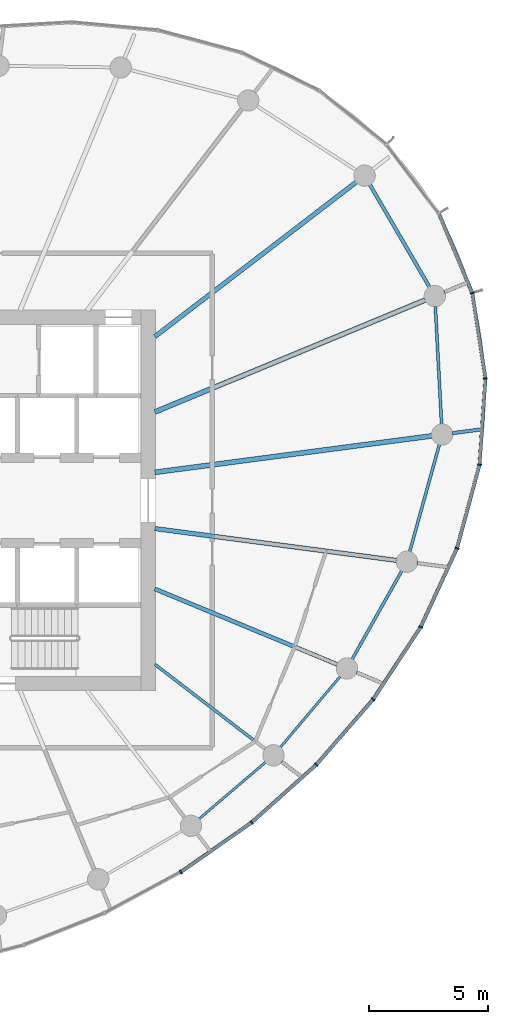
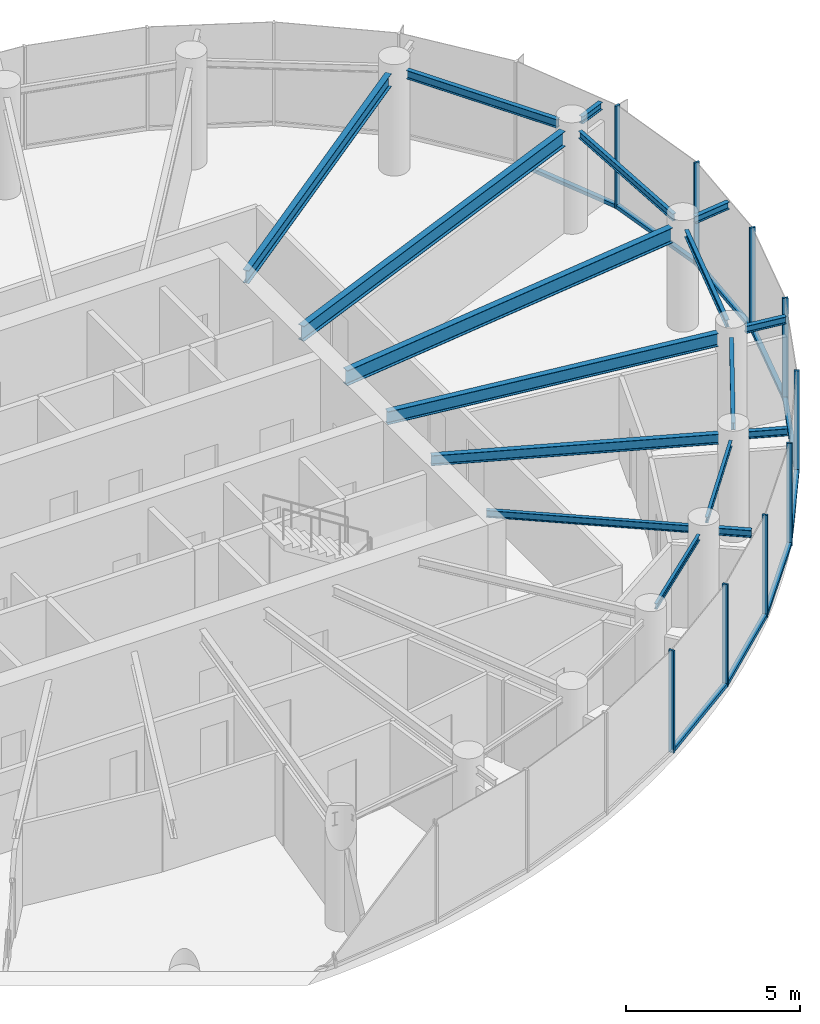
# One storey, part 5 of 14: 18 members, 17 beams, 2 elements without a shape of their own.
"""IFC4 building model written with IfcOpenShell, lengths in metres."""

import ifcopenshell
import ifcopenshell.guid

model = None  # the IFC model being written
_history = None  # IfcOwnerHistory: only IFC2X3 demands one
_inside = {}  # id of a spatial element -> (the spatial element, [elements in it])
_under = {}  # id of a project, library or spatial element -> (it, [spatial elements below it])
_declared = {}  # id of a project -> (the project, [libraries it declares])
_typed = {}  # id of a type object -> (the type object, [elements of that type])
_made_of = {}  # id of a material, layer set ... -> (it, [elements and type objects made of it])


def new_model(schema):
    """Start an empty IFC model of exactly this schema.

    Asked for "IFC4X3", IfcOpenShell would pick the latest addendum, in which some entities
    have other attributes; the version numbers below select the first issue.
    IFC2X3 requires an IfcOwnerHistory on every rooted entity: one is made here for all.
    """
    global model, _history
    if schema == "IFC4X3":
        model = ifcopenshell.file(schema_version=(4, 3, 0, 0))
    else:
        model = ifcopenshell.file(schema=schema)
    _inside.clear()
    _under.clear()
    _declared.clear()
    _typed.clear()
    _made_of.clear()
    _history = None
    if model.schema == "IFC2X3":
        org = make("IfcOrganization", Name="unknown")
        user = make(
            "IfcPersonAndOrganization",
            ThePerson=make("IfcPerson", FamilyName="unknown"),
            TheOrganization=org,
        )
        app = make(
            "IfcApplication",
            ApplicationDeveloper=org,
            Version="unknown",
            ApplicationFullName="unknown",
            ApplicationIdentifier="unknown",
        )
        _history = make(
            "IfcOwnerHistory",
            OwningUser=user,
            OwningApplication=app,
            ChangeAction="ADDED",
            CreationDate=0,
        )
    return model


def make(cls, **values):
    """One entity of the class cls with the attributes given. An attribute that is None is left unset."""
    return model.create_entity(
        cls, **{name: value for name, value in values.items() if value is not None}
    )


def rooted(cls, **values):
    """An entity with a GlobalId (a new one), such as an element, a storey or a relation."""
    return make(cls, GlobalId=ifcopenshell.guid.new(), OwnerHistory=_history, **values)


def si_unit(unit_type, name, prefix=None):
    """IfcSIUnit, for example si_unit("LENGTHUNIT", "METRE", prefix="MILLI")."""
    return make("IfcSIUnit", UnitType=unit_type, Prefix=prefix, Name=name)


def assignment(units):
    """IfcUnitAssignment: the units of a project."""
    return None if units is None else make("IfcUnitAssignment", Units=units)


def point(xyz):
    """IfcCartesianPoint."""
    return None if xyz is None else make("IfcCartesianPoint", Coordinates=xyz)


def direction(xyz):
    """IfcDirection."""
    return None if xyz is None else make("IfcDirection", DirectionRatios=xyz)


def frame(location, z_axis=None, x_axis=None):
    """IfcAxis2Placement3D, a coordinate frame: its origin and axes. An axis left out is left unset."""
    return make(
        "IfcAxis2Placement3D",
        Location=point(location),
        Axis=direction(z_axis),
        RefDirection=direction(x_axis),
    )


def frame_2d(location, x_axis=None):
    """IfcAxis2Placement2D, a coordinate frame in the plane: its origin and x axis."""
    return make(
        "IfcAxis2Placement2D", Location=point(location), RefDirection=direction(x_axis)
    )


def origin():
    """The frame at (0, 0, 0) with its axes left unset."""
    return frame((0.0, 0.0, 0.0))


def origin_2d():
    """The frame at (0, 0) in the plane with its x axis left unset."""
    return frame_2d((0.0, 0.0))


def place(relative_to, where):
    """IfcLocalPlacement: puts the frame where relative to a parent placement (None: the world)."""
    return make(
        "IfcLocalPlacement", PlacementRelTo=relative_to, RelativePlacement=where
    )


def context(
    kind, dimensions, precision=None, world=None, true_north=None, identifier=None
):
    """IfcGeometricRepresentationContext, for example the 3D "Model" context."""
    return make(
        "IfcGeometricRepresentationContext",
        ContextIdentifier=identifier,
        ContextType=kind,
        CoordinateSpaceDimension=dimensions,
        Precision=precision,
        WorldCoordinateSystem=world,
        TrueNorth=true_north,
    )


def subcontext(parent, identifier, kind, view, scale=None):
    """IfcGeometricRepresentationSubContext, for example "Body" below "Model"."""
    return make(
        "IfcGeometricRepresentationSubContext",
        ContextIdentifier=identifier,
        ContextType=kind,
        ParentContext=parent,
        TargetScale=scale,
        TargetView=view,
    )


def project(units=None, contexts=None):
    """IfcProject with its units and contexts."""
    return rooted(
        "IfcProject",
        Name="project",
        RepresentationContexts=contexts,
        UnitsInContext=assignment(units),
    )


def spatial(cls, under=None, at=None, **own):
    """A site, building, storey or space (cls), placed at a placement, below another one or the project."""
    s = rooted(cls, ObjectPlacement=at, **own)
    if under is not None:
        _under.setdefault(under.id(), (under, []))[1].append(s)
    return s


def profile(cls, at=None, kind="AREA", **sizes):
    """A parametric profile (cls). Its sizes go by their IFC names, for example OverallWidth=200.0."""
    return make(cls, ProfileType=kind, Position=at, **sizes)


def rectangle(**sizes):
    """IfcRectangleProfileDef."""
    return profile("IfcRectangleProfileDef", **sizes)


def i_section(**sizes):
    """IfcIShapeProfileDef."""
    return profile("IfcIShapeProfileDef", **sizes)


def extrude(swept, where, along, depth):
    """IfcExtrudedAreaSolid: the profile swept, set in the frame where, extruded along a direction by depth."""
    return make(
        "IfcExtrudedAreaSolid",
        SweptArea=swept,
        Position=where,
        ExtrudedDirection=direction(along),
        Depth=depth,
    )


def shape(context_of_items, identifier, shape_type, items):
    """IfcShapeRepresentation: the items that make up one representation, for example the "Body"."""
    return make(
        "IfcShapeRepresentation",
        ContextOfItems=context_of_items,
        RepresentationIdentifier=identifier,
        RepresentationType=shape_type,
        Items=items,
    )


def source(mapping_origin, context_of_items, identifier, shape_type, items):
    """IfcRepresentationMap: a shape defined once, which mapped items show again and again."""
    return make(
        "IfcRepresentationMap",
        MappingOrigin=mapping_origin,
        MappedRepresentation=shape(context_of_items, identifier, shape_type, items),
    )


def transform(
    local_origin,
    x_axis=None,
    y_axis=None,
    z_axis=None,
    scale=None,
    scale2=None,
    scale3=None,
    uniform=True,
):
    """IfcCartesianTransformationOperator3D, or its non-uniform kind. x_axis, y_axis, z_axis: its Axis1, 2, 3."""
    if uniform:
        return make(
            "IfcCartesianTransformationOperator3D",
            Axis1=direction(x_axis),
            Axis2=direction(y_axis),
            LocalOrigin=point(local_origin),
            Scale=scale,
            Axis3=direction(z_axis),
        )
    return make(
        "IfcCartesianTransformationOperator3DnonUniform",
        Axis1=direction(x_axis),
        Axis2=direction(y_axis),
        LocalOrigin=point(local_origin),
        Scale=scale,
        Axis3=direction(z_axis),
        Scale2=scale2,
        Scale3=scale3,
    )


def mapped(mapping_source, mapping_target):
    """IfcMappedItem: shows the shape of a source again, moved by a transform."""
    return make(
        "IfcMappedItem", MappingSource=mapping_source, MappingTarget=mapping_target
    )


def material(Name=None, Category=None):
    """IfcMaterial."""
    return make("IfcMaterial", Name=Name, Category=Category)


def layer(
    of_material, thickness, ventilated=None, Name=None, Category=None, Priority=None
):
    """IfcMaterialLayer: one layer of a wall or slab, of a material (None: an air gap)."""
    return make(
        "IfcMaterialLayer",
        Material=of_material,
        LayerThickness=thickness,
        IsVentilated=ventilated,
        Name=Name,
        Category=Category,
        Priority=Priority,
    )


def layer_set(layers, Name=None):
    """IfcMaterialLayerSet."""
    return make("IfcMaterialLayerSet", MaterialLayers=layers, LayerSetName=Name)


def material_profile(
    of_material, cross_section, Name=None, Category=None, Priority=None
):
    """IfcMaterialProfile: a cross section and its material."""
    return make(
        "IfcMaterialProfile",
        Name=Name,
        Material=of_material,
        Profile=cross_section,
        Priority=Priority,
        Category=Category,
    )


def profile_set(profiles, Name=None, composite=None):
    """IfcMaterialProfileSet."""
    return make(
        "IfcMaterialProfileSet",
        Name=Name,
        MaterialProfiles=profiles,
        CompositeProfile=composite,
    )


def made_of(thing, what):
    """Note that an element or type object is made of a material, layer set ...; save() writes the relation."""
    if what is not None:
        _made_of.setdefault(what.id(), (what, []))[1].append(thing)
    return thing


def type_object(cls, material=None, **own):
    """A type object (cls), such as IfcWallType, which elements share."""
    return made_of(rooted(cls, **own), material)


def element(
    cls,
    number,
    at=None,
    inside=None,
    cuts=None,
    type_object=None,
    material=None,
    context=None,
    identifier="Body",
    shape_type=None,
    held_by="IfcProductDefinitionShape",
    body=None,
    shapes=None,
    **own,
):
    """One element of the class cls, such as IfcWall. Its Tag is "e" and its number.

    at: its placement. inside: the storey or other place that contains it. cuts: it is an
    opening in that element (IfcRelVoidsElement). A single representation is given by context,
    identifier, shape_type and body (its items); several are given by shapes. held_by: the class
    of the entity that holds the representations. save() writes the other relations.
    """
    e = rooted(cls, Tag="e%d" % number, ObjectPlacement=at, **own)
    if body is not None:
        shapes = [shape(context, identifier, shape_type, body)]
    if shapes is not None:
        e.Representation = make(held_by, Representations=shapes)
    if inside is not None:
        _inside.setdefault(inside.id(), (inside, []))[1].append(e)
    if cuts is not None:
        rooted(
            "IfcRelVoidsElement", RelatingBuildingElement=cuts, RelatedOpeningElement=e
        )
    if type_object is not None:
        _typed.setdefault(type_object.id(), (type_object, []))[1].append(e)
    return made_of(e, material)


def aggregate(whole, parts):
    """IfcRelAggregates: a whole, such as a stair, and the parts it consists of."""
    return rooted("IfcRelAggregates", RelatingObject=whole, RelatedObjects=parts)


def save(model, path):
    """Write the relations noted so far, then the file.

    IfcRelAggregates (storeys below a building ...), IfcRelContainedInSpatialStructure (elements
    in a storey), IfcRelDefinesByType, IfcRelAssociatesMaterial and IfcRelDeclares: one each for
    every whole, place, type object, material and project.
    """
    for whole, parts in _under.values():
        aggregate(whole, parts)
    for where, things in _inside.values():
        rooted(
            "IfcRelContainedInSpatialStructure",
            RelatedElements=things,
            RelatingStructure=where,
        )
    for kind, things in _typed.values():
        rooted("IfcRelDefinesByType", RelatedObjects=things, RelatingType=kind)
    for what, things in _made_of.values():
        rooted("IfcRelAssociatesMaterial", RelatedObjects=things, RelatingMaterial=what)
    for by, libraries in _declared.values():
        rooted("IfcRelDeclares", RelatingContext=by, RelatedDefinitions=libraries)
    model.write(path)


model = new_model("IFC4")

# Units and contexts
model_context = context("Model", 3, precision=1e-05, world=origin(), true_north=direction((0.0, 1.0)))
body_context = subcontext(model_context, "Body", "Model", "MODEL_VIEW")
ifc_project = project(units=[si_unit("LENGTHUNIT", "METRE"), si_unit("AREAUNIT", "SQUARE_METRE"), si_unit("VOLUMEUNIT", "CUBIC_METRE"), si_unit("PLANEANGLEUNIT", "RADIAN"), si_unit("MASSUNIT", "GRAM", prefix="KILO")], contexts=[model_context])

# Site, building, storey
site_placement = place(None, origin())
site = spatial("IfcSite", under=ifc_project, at=site_placement, CompositionType="ELEMENT")
building_placement = place(site_placement, origin())
building = spatial("IfcBuilding", under=site, at=building_placement, Name="Spindrift Exchange Tower", CompositionType="ELEMENT")
storey_placement = place(building_placement, frame((0.0, 0.0, 215.0)))
storey = spatial("IfcBuildingStorey", under=building, at=storey_placement, Name="L52", CompositionType="ELEMENT", Elevation=215.0)

# Beams
ifc_material_1 = material(Name="Steel Grade 300", Category="steel")
ifc_material_profile_1 = material_profile(ifc_material_1, i_section(OverallWidth=0.208984375, OverallDepth=0.528076171875, WebThickness=0.009521484375, FlangeThickness=0.01318359375, FilletRadius=0.013916015625, at=origin_2d()), Name="530UB82.0")
ifc_profile_set_1 = profile_set([ifc_material_profile_1], Name="Steel Grade 300")
beam_type_1 = type_object("IfcBeamType", Name="Floor Beam 530UB82.0 Steel Grade 300", PredefinedType="BEAM", material=ifc_profile_set_1)
shared_shape_1 = source(origin(), body_context, "Body", "SweptSolid", [
    extrude(i_section(OverallWidth=0.208984375, OverallDepth=0.528076171875, WebThickness=0.009521484375, FlangeThickness=0.01318359375, FilletRadius=0.013916015625, at=origin_2d()), origin(), (0.0, 0.0, 1.0), 11.75634765625),
])
beam_1_placement = place(storey_placement, frame((60.980224609375, 49.182373046875, 3.31591796875), z_axis=(0.991445811455, 0.13051897543, 0.0), x_axis=(-0.13051897543, 0.991445811455, 0.0)))
element("IfcBeam", 1, at=beam_1_placement, inside=storey, type_object=beam_type_1, Name="L52 radial beam R01A", PredefinedType="BEAM", context=body_context, shape_type="MappedRepresentation", body=[
    mapped(shared_shape_1, transform((0.0, 0.0, 0.0), scale=1.0)),
])
shared_shape_2 = source(origin(), body_context, "Body", "SweptSolid", [
    extrude(i_section(OverallWidth=0.208984375, OverallDepth=0.528076171875, WebThickness=0.009521484375, FlangeThickness=0.01318359375, FilletRadius=0.013916015625, at=origin_2d()), origin(), (0.0, 0.0, 1.0), 12.3115234375),
])
beam_2_placement = place(storey_placement, frame((60.9814453125, 51.72021484375, 3.31591796875), z_axis=(0.923878099838, 0.382686891126, 0.0), x_axis=(-0.382686891126, 0.923878099838, 0.0)))
element("IfcBeam", 2, at=beam_2_placement, inside=storey, type_object=beam_type_1, Name="L52 radial beam R02A", PredefinedType="BEAM", context=body_context, shape_type="MappedRepresentation", body=[
    mapped(shared_shape_2, transform((0.0, 0.0, 0.0), scale=1.0)),
])
ifc_material_profile_2 = material_profile(ifc_material_1, i_section(OverallWidth=0.18994140625, OverallDepth=0.4541015625, WebThickness=0.008544921875, FlangeThickness=0.0126953125, FilletRadius=0.013916015625, at=origin_2d()), Name="460UB67.1")
ifc_profile_set_2 = profile_set([ifc_material_profile_2], Name="Steel Grade 300")
beam_type_2 = type_object("IfcBeamType", Name="Floor Beam 460UB67.1 Steel Grade 300", PredefinedType="BEAM", material=ifc_profile_set_2)
shared_shape_3 = source(origin(), body_context, "Body", "SweptSolid", [
    extrude(i_section(OverallWidth=0.18994140625, OverallDepth=0.4541015625, WebThickness=0.008544921875, FlangeThickness=0.0126953125, FilletRadius=0.013916015625, at=origin_2d()), origin(), (0.0, 0.0, 1.0), 10.684814453125),
])
beam_3_placement = place(storey_placement, frame((60.984130859375, 54.893798828125, 3.35302734375), z_axis=(0.793357316898, 0.608756246559, 0.0), x_axis=(-0.608756246559, 0.793357316898, 0.0)))
element("IfcBeam", 3, at=beam_3_placement, inside=storey, type_object=beam_type_2, Name="L52 radial beam R03A", PredefinedType="BEAM", context=body_context, shape_type="MappedRepresentation", body=[
    mapped(shared_shape_3, transform((0.0, 0.0, 0.0), scale=1.0)),
])
ifc_material_profile_3 = material_profile(ifc_material_1, i_section(OverallWidth=0.1240234375, OverallDepth=0.248046875, WebThickness=0.0048828125, FlangeThickness=0.008056640625, FilletRadius=0.011962890625, at=origin_2d()), Name="250UB25.7")
ifc_profile_set_3 = profile_set([ifc_material_profile_3], Name="Steel Grade 300")
beam_type_3 = type_object("IfcBeamType", Name="Floor Beam 250UB25.7 Steel Grade 300", PredefinedType="BEAM", material=ifc_profile_set_3)
shared_shape_4 = source(origin(), body_context, "Body", "SweptSolid", [
    extrude(i_section(OverallWidth=0.1240234375, OverallDepth=0.248046875, WebThickness=0.0048828125, FlangeThickness=0.008056640625, FilletRadius=0.011962890625, at=origin_2d()), origin(), (0.0, 0.0, 1.0), 5.855712890625),
])
beam_4_placement = place(storey_placement, frame((60.984130859375, 41.106201171875, 3.4560546875), z_axis=(0.793362708479, -0.608749219954, 0.0), x_axis=(0.608749219954, 0.793362708479, 0.0)))
element("IfcBeam", 4, at=beam_4_placement, inside=storey, type_object=beam_type_3, Name="L52 radial beam R22A", PredefinedType="BEAM", context=body_context, shape_type="MappedRepresentation", body=[
    mapped(shared_shape_4, transform((0.0, 0.0, 0.0), scale=1.0)),
])
ifc_material_profile_4 = material_profile(ifc_material_1, i_section(OverallWidth=0.1708984375, OverallDepth=0.35205078125, WebThickness=0.0068359375, FlangeThickness=0.009765625, FilletRadius=0.013916015625, at=origin_2d()), Name="360UB44.7")
ifc_profile_set_4 = profile_set([ifc_material_profile_4], Name="Steel Grade 300")
beam_type_4 = type_object("IfcBeamType", Name="Floor Beam 360UB44.7 Steel Grade 300", PredefinedType="BEAM", material=ifc_profile_set_4)
shared_shape_5 = source(origin(), body_context, "Body", "SweptSolid", [
    extrude(i_section(OverallWidth=0.1708984375, OverallDepth=0.35205078125, WebThickness=0.0068359375, FlangeThickness=0.009765625, FilletRadius=0.013916015625, at=origin_2d()), origin(), (0.0, 0.0, 1.0), 8.3134765625),
])
beam_5_placement = place(storey_placement, frame((60.9814453125, 44.27978515625, 3.404052734375), z_axis=(0.923881179957, -0.382679455055, 0.0), x_axis=(0.382679455055, 0.923881179957, 0.0)))
element("IfcBeam", 5, at=beam_5_placement, inside=storey, type_object=beam_type_4, Name="L52 radial beam R23A", PredefinedType="BEAM", context=body_context, shape_type="MappedRepresentation", body=[
    mapped(shared_shape_5, transform((0.0, 0.0, 0.0), scale=1.0)),
])
shared_shape_6 = source(origin(), body_context, "Body", "SweptSolid", [
    extrude(i_section(OverallWidth=0.18994140625, OverallDepth=0.4541015625, WebThickness=0.008544921875, FlangeThickness=0.0126953125, FilletRadius=0.013916015625, at=origin_2d()), origin(), (0.0, 0.0, 1.0), 10.262451171875),
])
beam_6_placement = place(storey_placement, frame((60.980224609375, 46.817626953125, 3.35302734375), z_axis=(0.991446763371, -0.130511744304, 0.0), x_axis=(0.130511744304, 0.991446763371, 0.0)))
element("IfcBeam", 6, at=beam_6_placement, inside=storey, type_object=beam_type_2, Name="L52 radial beam R24A", PredefinedType="BEAM", context=body_context, shape_type="MappedRepresentation", body=[
    mapped(shared_shape_6, transform((0.0, 0.0, 0.0), scale=1.0)),
])
ifc_material_profile_5 = material_profile(ifc_material_1, i_section(OverallWidth=0.1240234375, OverallDepth=0.248046875, WebThickness=0.0048828125, FlangeThickness=0.008056640625, FilletRadius=0.011962890625, at=origin_2d()), Name="250UB25.7")
ifc_profile_set_5 = profile_set([ifc_material_profile_5], Name="Steel Grade 300")
beam_type_5 = type_object("IfcBeamType", Name="Edge Beam 250UB25.7 Steel Grade 300", PredefinedType="SPANDREL", material=ifc_profile_set_5)
shared_shape_7 = source(origin(), body_context, "Body", "SweptSolid", [
    extrude(i_section(OverallWidth=0.1240234375, OverallDepth=0.248046875, WebThickness=0.0048828125, FlangeThickness=0.008056640625, FilletRadius=0.011962890625, at=origin_2d()), origin(), (0.0, 0.0, 1.0), 4.971435546875),
])
beam_7_placement = place(storey_placement, frame((73.03955078125, 51.202392578125, 3.4560546875), z_axis=(-0.053038255124, 0.998592481192, 0.0), x_axis=(-0.998592481192, -0.053038255124, 0.0)))
element("IfcBeam", 7, at=beam_7_placement, inside=storey, type_object=beam_type_5, Name="L52 edge beam E01", PredefinedType="SPANDREL", context=body_context, shape_type="MappedRepresentation", body=[
    mapped(shared_shape_7, transform((0.0, 0.0, 0.0), scale=1.0)),
])
ifc_material_profile_6 = material_profile(ifc_material_1, i_section(OverallWidth=0.14892578125, OverallDepth=0.298095703125, WebThickness=0.005615234375, FlangeThickness=0.008056640625, FilletRadius=0.012939453125, at=origin_2d()), Name="310UB32.0")
ifc_profile_set_6 = profile_set([ifc_material_profile_6], Name="Steel Grade 300")
beam_type_6 = type_object("IfcBeamType", Name="Edge Beam 310UB32.0 Steel Grade 300", PredefinedType="SPANDREL", material=ifc_profile_set_6)
shared_shape_8 = source(origin(), body_context, "Body", "SweptSolid", [
    extrude(i_section(OverallWidth=0.14892578125, OverallDepth=0.298095703125, WebThickness=0.005615234375, FlangeThickness=0.008056640625, FilletRadius=0.012939453125, at=origin_2d()), origin(), (0.0, 0.0, 1.0), 5.0009765625),
])
beam_8_placement = place(storey_placement, frame((72.53662109375, 56.9677734375, 3.430908203125), z_axis=(-0.503512812094, 0.863987759205, 0.0), x_axis=(-0.863987759205, -0.503512812094, 0.0)))
element("IfcBeam", 8, at=beam_8_placement, inside=storey, type_object=beam_type_6, Name="L52 edge beam E02", PredefinedType="SPANDREL", context=body_context, shape_type="MappedRepresentation", body=[
    mapped(shared_shape_8, transform((0.0, 0.0, 0.0), scale=1.0)),
])
ifc_material_profile_7 = material_profile(ifc_material_1, i_section(OverallWidth=0.09912109375, OverallDepth=0.197998046875, WebThickness=0.00439453125, FlangeThickness=0.007080078125, FilletRadius=0.010986328125, at=origin_2d()), Name="200UB18.2")
ifc_profile_set_7 = profile_set([ifc_material_profile_7], Name="Steel Grade 300")
beam_type_7 = type_object("IfcBeamType", Name="Edge Beam 200UB18.2 Steel Grade 300", PredefinedType="SPANDREL", material=ifc_profile_set_7)
shared_shape_9 = source(origin(), body_context, "Body", "SweptSolid", [
    extrude(i_section(OverallWidth=0.09912109375, OverallDepth=0.197998046875, WebThickness=0.00439453125, FlangeThickness=0.007080078125, FilletRadius=0.010986328125, at=origin_2d()), origin(), (0.0, 0.0, 1.0), 3.703857421875),
])
beam_9_placement = place(storey_placement, frame((62.826416015625, 34.59619140625, 3.48095703125), z_axis=(0.7606692863, 0.64913961278, 0.0), x_axis=(-0.64913961278, 0.7606692863, 0.0)))
element("IfcBeam", 9, at=beam_9_placement, inside=storey, type_object=beam_type_7, Name="L52 edge beam E21", PredefinedType="SPANDREL", context=body_context, shape_type="MappedRepresentation", body=[
    mapped(shared_shape_9, transform((0.0, 0.0, 0.0), scale=1.0)),
])
shared_shape_10 = source(origin(), body_context, "Body", "SweptSolid", [
    extrude(i_section(OverallWidth=0.09912109375, OverallDepth=0.197998046875, WebThickness=0.00439453125, FlangeThickness=0.007080078125, FilletRadius=0.010986328125, at=origin_2d()), origin(), (0.0, 0.0, 1.0), 3.92431640625),
])
beam_10_placement = place(storey_placement, frame((66.24853515625, 37.608154296875, 3.48095703125), z_axis=(0.645498720032, 0.763761351757, 0.0), x_axis=(-0.763761351757, 0.645498720032, 0.0)))
element("IfcBeam", 10, at=beam_10_placement, inside=storey, type_object=beam_type_7, Name="L52 edge beam E22", PredefinedType="SPANDREL", context=body_context, shape_type="MappedRepresentation", body=[
    mapped(shared_shape_10, transform((0.0, 0.0, 0.0), scale=1.0)),
])
shared_shape_11 = source(origin(), body_context, "Body", "SweptSolid", [
    extrude(i_section(OverallWidth=0.1240234375, OverallDepth=0.248046875, WebThickness=0.0048828125, FlangeThickness=0.008056640625, FilletRadius=0.011962890625, at=origin_2d()), origin(), (0.0, 0.0, 1.0), 4.2880859375),
])
beam_11_placement = place(storey_placement, frame((69.27001953125, 41.30859375, 3.4560546875), z_axis=(0.489804347673, 0.871832381253, 0.0), x_axis=(-0.871832381253, 0.489804347673, 0.0)))
element("IfcBeam", 11, at=beam_11_placement, inside=storey, type_object=beam_type_5, Name="L52 edge beam E23", PredefinedType="SPANDREL", context=body_context, shape_type="MappedRepresentation", body=[
    mapped(shared_shape_11, transform((0.0, 0.0, 0.0), scale=1.0)),
])
shared_shape_12 = source(origin(), body_context, "Body", "SweptSolid", [
    extrude(i_section(OverallWidth=0.1240234375, OverallDepth=0.248046875, WebThickness=0.0048828125, FlangeThickness=0.008056640625, FilletRadius=0.011962890625, at=origin_2d()), origin(), (0.0, 0.0, 1.0), 4.69189453125),
])
beam_12_placement = place(storey_placement, frame((71.69580078125, 45.83642578125, 3.4560546875), z_axis=(0.266774248618, 0.963759046792, 0.0), x_axis=(-0.963759046792, 0.266774248618, 0.0)))
element("IfcBeam", 12, at=beam_12_placement, inside=storey, type_object=beam_type_5, Name="L52 edge beam E24", PredefinedType="SPANDREL", context=body_context, shape_type="MappedRepresentation", body=[
    mapped(shared_shape_12, transform((0.0, 0.0, 0.0), scale=1.0)),
])
ifc_material_profile_8 = material_profile(ifc_material_1, i_section(OverallWidth=0.14599609375, OverallDepth=0.251953125, WebThickness=0.006103515625, FlangeThickness=0.008544921875, FilletRadius=0.011962890625, at=origin_2d()), Name="250UB31.4")
ifc_profile_set_8 = profile_set([ifc_material_profile_8], Name="Steel Grade 300")
beam_type_8 = type_object("IfcBeamType", Name="Cantilever Beam 250UB31.4 Steel Grade 300", PredefinedType="BEAM", material=ifc_profile_set_8)
shared_shape_13 = source(origin(), body_context, "Body", "SweptSolid", [
    extrude(i_section(OverallWidth=0.14599609375, OverallDepth=0.251953125, WebThickness=0.006103515625, FlangeThickness=0.008544921875, FilletRadius=0.011962890625, at=origin_2d()), origin(), (0.0, 0.0, 1.0), 1.212158203125),
])
beam_13_placement = place(storey_placement, frame((73.488525390625, 50.8291015625, 3.4541015625), z_axis=(0.991448125205, 0.130501398564, 0.0), x_axis=(-0.130501398564, 0.991448125205, 0.0)))
element("IfcBeam", 13, at=beam_13_placement, inside=storey, type_object=beam_type_8, Name="L52 cantilever beam R01T", PredefinedType="BEAM", context=body_context, shape_type="MappedRepresentation", body=[
    mapped(shared_shape_13, transform((0.0, 0.0, 0.0), scale=1.0)),
])
shared_shape_14 = source(origin(), body_context, "Body", "SweptSolid", [
    extrude(i_section(OverallWidth=0.14599609375, OverallDepth=0.251953125, WebThickness=0.006103515625, FlangeThickness=0.008544921875, FilletRadius=0.011962890625, at=origin_2d()), origin(), (0.0, 0.0, 1.0), 0.931396484375),
])
beam_14_placement = place(storey_placement, frame((73.150390625, 56.7607421875, 3.4541015625), z_axis=(0.923889058869, 0.382660432893, 0.0), x_axis=(-0.382660432893, 0.923889058869, 0.0)))
element("IfcBeam", 14, at=beam_14_placement, inside=storey, type_object=beam_type_8, Name="L52 cantilever beam R02T", PredefinedType="BEAM", context=body_context, shape_type="MappedRepresentation", body=[
    mapped(shared_shape_14, transform((0.0, 0.0, 0.0), scale=1.0)),
])
shared_shape_15 = source(origin(), body_context, "Body", "SweptSolid", [
    extrude(i_section(OverallWidth=0.14599609375, OverallDepth=0.251953125, WebThickness=0.006103515625, FlangeThickness=0.008544921875, FilletRadius=0.011962890625, at=origin_2d()), origin(), (0.0, 0.0, 1.0), 0.95068359375),
])
beam_15_placement = place(storey_placement, frame((66.31201171875, 37.017822265625, 3.4541015625), z_axis=(0.793482352244, -0.608593260459, 0.0), x_axis=(0.608593260459, 0.793482352244, 0.0)))
element("IfcBeam", 15, at=beam_15_placement, inside=storey, type_object=beam_type_8, Name="L52 cantilever beam R22T", PredefinedType="BEAM", context=body_context, shape_type="MappedRepresentation", body=[
    mapped(shared_shape_15, transform((0.0, 0.0, 0.0), scale=1.0)),
])
shared_shape_16 = source(origin(), body_context, "Body", "SweptSolid", [
    extrude(i_section(OverallWidth=0.14599609375, OverallDepth=0.251953125, WebThickness=0.006103515625, FlangeThickness=0.008544921875, FilletRadius=0.011962890625, at=origin_2d()), origin(), (0.0, 0.0, 1.0), 1.134033203125),
])
beam_16_placement = place(storey_placement, frame((69.456787109375, 40.769287109375, 3.4541015625), z_axis=(0.92383312361, -0.382795454155, 0.0), x_axis=(0.382795454155, 0.92383312361, 0.0)))
element("IfcBeam", 16, at=beam_16_placement, inside=storey, type_object=beam_type_8, Name="L52 cantilever beam R23T", PredefinedType="BEAM", context=body_context, shape_type="MappedRepresentation", body=[
    mapped(shared_shape_16, transform((0.0, 0.0, 0.0), scale=1.0)),
])
shared_shape_17 = source(origin(), body_context, "Body", "SweptSolid", [
    extrude(i_section(OverallWidth=0.14599609375, OverallDepth=0.251953125, WebThickness=0.006103515625, FlangeThickness=0.008544921875, FilletRadius=0.011962890625, at=origin_2d()), origin(), (0.0, 0.0, 1.0), 1.254150390625),
])
beam_17_placement = place(storey_placement, frame((72.00732421875, 45.365966796875, 3.4541015625), z_axis=(0.991457608202, -0.130429333889, 0.0), x_axis=(0.130429333889, 0.991457608202, 0.0)))
element("IfcBeam", 17, at=beam_17_placement, inside=storey, type_object=beam_type_8, Name="L52 cantilever beam R24T", PredefinedType="BEAM", context=body_context, shape_type="MappedRepresentation", body=[
    mapped(shared_shape_17, transform((0.0, 0.0, 0.0), scale=1.0)),
])

# Curtain wall, members
ifc_material_2 = material(Name="Fritted laminated glass with bronze frame", Category="glass")
ifc_layer = layer(ifc_material_2, 0.169921875)
ifc_layer_set = layer_set([ifc_layer], Name="ZONE 4 BRONZE FRITTED WALL")
curtain_wall_type = type_object("IfcCurtainWallType", Name="ZONE 4 BRONZE FRITTED WALL", PredefinedType="NOTDEFINED", material=ifc_layer_set)
curtain_wall_1_placement = place(storey_placement, origin())
curtain_wall_1 = element("IfcCurtainWall", 18, at=curtain_wall_1_placement, inside=storey, type_object=curtain_wall_type, Name="L52 Zone 4 Bronze Fritted Wall run 5", PredefinedType="NOTDEFINED")
ifc_material_3 = material(Name="Bronze anodised aluminium", Category="aluminium")
ifc_material_profile_9 = material_profile(ifc_material_3, rectangle(XDim=0.14990234375, YDim=0.125, at=origin_2d()), Name="ZONE 4 BRONZE FRITTED WALL TRANSOM 150X125")
ifc_profile_set_9 = profile_set([ifc_material_profile_9], Name="Bronze anodised aluminium")
member_type_1 = type_object("IfcMemberType", Name="ZONE 4 BRONZE FRITTED WALL TRANSOM 150X125", PredefinedType="USERDEFINED", material=ifc_profile_set_9)
shared_shape_18 = source(origin(), body_context, "Body", "SweptSolid", [
    extrude(rectangle(XDim=0.14990234375, YDim=0.125, at=origin_2d()), origin(), (0.0, 0.0, 1.0), 3.57763671875),
])
member_1_placement = place(storey_placement, frame((62.098876953125, 32.388916015625, 0.0625), z_axis=(0.819215890773, 0.57348524332, 0.0), x_axis=(-0.57348524332, 0.819215890773, 0.0)))
member_1 = element("IfcMember", 19, at=member_1_placement, type_object=member_type_1, Name="L52 transom CW-4.29", ObjectType="TRANSOM", PredefinedType="USERDEFINED", context=body_context, shape_type="MappedRepresentation", body=[
    mapped(shared_shape_18, transform((0.0, 0.0, 0.0), scale=1.0)),
])
member_2_placement = place(storey_placement, frame((65.08056640625, 34.48095703125, 0.0625), z_axis=(0.74538407524, 0.666635267877, 0.0), x_axis=(-0.666635267877, 0.74538407524, 0.0)))
member_2 = element("IfcMember", 20, at=member_2_placement, type_object=member_type_1, Name="L52 transom CW-4.30", ObjectType="TRANSOM", PredefinedType="USERDEFINED", context=body_context, shape_type="MappedRepresentation", body=[
    mapped(shared_shape_18, transform((0.0, 0.0, 0.0), scale=1.0)),
])

curtain_wall_2_placement = place(storey_placement, origin())
curtain_wall_2 = element("IfcCurtainWall", 21, at=curtain_wall_2_placement, inside=storey, type_object=curtain_wall_type, Name="L52 Zone 4 Bronze Fritted Wall run 6", PredefinedType="NOTDEFINED")
member_3_placement = place(storey_placement, frame((67.792724609375, 36.912109375, 0.0625), z_axis=(0.656555396049, 0.754277808184, 0.0), x_axis=(-0.754277808184, 0.656555396049, 0.0)))
member_3 = element("IfcMember", 22, at=member_3_placement, type_object=member_type_1, Name="L52 transom CW-4.31", ObjectType="TRANSOM", PredefinedType="USERDEFINED", context=body_context, shape_type="MappedRepresentation", body=[
    mapped(shared_shape_18, transform((0.0, 0.0, 0.0), scale=1.0)),
])
shared_shape_19 = source(origin(), body_context, "Body", "SweptSolid", [
    extrude(rectangle(XDim=0.14990234375, YDim=0.125, at=origin_2d()), origin(), (0.0, 0.0, 1.0), 3.57666015625),
])
member_4_placement = place(storey_placement, frame((70.180908203125, 39.662109375, 0.0625), z_axis=(0.549206489457, 0.835686682877, 0.0), x_axis=(-0.835686682877, 0.549206489457, 0.0)))
member_4 = element("IfcMember", 23, at=member_4_placement, type_object=member_type_1, Name="L52 transom CW-4.32", ObjectType="TRANSOM", PredefinedType="USERDEFINED", context=body_context, shape_type="MappedRepresentation", body=[
    mapped(shared_shape_19, transform((0.0, 0.0, 0.0), scale=1.0)),
])

# Member
ifc_material_profile_10 = material_profile(ifc_material_3, rectangle(XDim=0.06494140625, YDim=0.169921875, at=origin_2d()), Name="ZONE 4 BRONZE FRITTED WALL MULLION 65X170")
ifc_profile_set_10 = profile_set([ifc_material_profile_10], Name="Bronze anodised aluminium")
member_type_2 = type_object("IfcMemberType", Name="ZONE 4 BRONZE FRITTED WALL MULLION 65X170", PredefinedType="MULLION", material=ifc_profile_set_10)
shared_shape_20 = source(origin(), body_context, "Body", "SweptSolid", [
    extrude(rectangle(XDim=0.06494140625, YDim=0.169921875, at=origin_2d()), origin(), (0.0, 0.0, 1.0), 3.580078125),
])
member_5_placement = place(storey_placement, frame((62.072265625, 32.3701171875, 0.0), z_axis=(0.0, 0.0, 1.0), x_axis=(0.851171952352, 0.52488694738, 0.0)))
member_5 = element("IfcMember", 24, at=member_5_placement, type_object=member_type_2, Name="L52 mullion CW-4.29", PredefinedType="MULLION", context=body_context, shape_type="MappedRepresentation", body=[
    mapped(shared_shape_20, transform((0.0, 0.0, 0.0), scale=1.0)),
])

member_6_placement = place(storey_placement, frame((65.056396484375, 34.45947265625, 0.0), z_axis=(0.0, 0.0, 1.0), x_axis=(0.783672761281, 0.621173891295, 0.0)))
member_6 = element("IfcMember", 25, at=member_6_placement, type_object=member_type_2, Name="L52 mullion CW-4.30", PredefinedType="MULLION", context=body_context, shape_type="MappedRepresentation", body=[
    mapped(shared_shape_20, transform((0.0, 0.0, 0.0), scale=1.0)),
])

aggregate(curtain_wall_1, [member_5, member_1, member_6, member_2])

member_7_placement = place(storey_placement, frame((67.771484375, 36.8876953125, 0.0), z_axis=(0.0, 0.0, 1.0), x_axis=(0.702344597833, 0.711837106292, 0.0)))
member_7 = element("IfcMember", 26, at=member_7_placement, type_object=member_type_2, Name="L52 mullion CW-4.31", PredefinedType="MULLION", context=body_context, shape_type="MappedRepresentation", body=[
    mapped(shared_shape_20, transform((0.0, 0.0, 0.0), scale=1.0)),
])

member_8_placement = place(storey_placement, frame((70.1630859375, 39.635009765625, 0.0), z_axis=(0.0, 0.0, 1.0), x_axis=(0.604273860428, 0.796776694942, 0.0)))
member_8 = element("IfcMember", 27, at=member_8_placement, type_object=member_type_2, Name="L52 mullion CW-4.32", PredefinedType="MULLION", context=body_context, shape_type="MappedRepresentation", body=[
    mapped(shared_shape_20, transform((0.0, 0.0, 0.0), scale=1.0)),
])

member_9_placement = place(storey_placement, frame((72.1630859375, 42.678466796875, 0.0), z_axis=(0.0, 0.0, 1.0), x_axis=(0.485344287599, 0.874323122475, 0.0)))
member_9 = element("IfcMember", 28, at=member_9_placement, type_object=member_type_2, Name="L52 mullion CW-4.33", PredefinedType="MULLION", context=body_context, shape_type="MappedRepresentation", body=[
    mapped(shared_shape_20, transform((0.0, 0.0, 0.0), scale=1.0)),
])

member_10_placement = place(storey_placement, frame((73.68798828125, 45.98486328125, 0.0), z_axis=(0.0, 0.0, 1.0), x_axis=(0.340504294192, 0.940242960961, 0.0)))
member_10 = element("IfcMember", 29, at=member_10_placement, type_object=member_type_2, Name="L52 mullion CW-4.34", PredefinedType="MULLION", context=body_context, shape_type="MappedRepresentation", body=[
    mapped(shared_shape_20, transform((0.0, 0.0, 0.0), scale=1.0)),
])

member_11_placement = place(storey_placement, frame((74.633544921875, 49.499755859375, 0.0), z_axis=(0.0, 0.0, 1.0), x_axis=(0.165012485188, 0.986291478079, 0.0)))
member_11 = element("IfcMember", 30, at=member_11_placement, type_object=member_type_2, Name="L52 mullion CW-4.35", PredefinedType="MULLION", context=body_context, shape_type="MappedRepresentation", body=[
    mapped(shared_shape_20, transform((0.0, 0.0, 0.0), scale=1.0)),
])

member_12_placement = place(storey_placement, frame((74.88330078125, 53.12939453125, 0.0), z_axis=(0.0, 0.0, 1.0), x_axis=(-0.041947503796, 0.999119816101, 0.0)))
member_12 = element("IfcMember", 31, at=member_12_placement, type_object=member_type_2, Name="L52 mullion CW-4.36", PredefinedType="MULLION", context=body_context, shape_type="MappedRepresentation", body=[
    mapped(shared_shape_20, transform((0.0, 0.0, 0.0), scale=1.0)),
])

member_13_placement = place(storey_placement, frame((74.33056640625, 56.723876953125, 0.0), z_axis=(0.0, 0.0, 1.0), x_axis=(-0.271259286419, 0.962506311424, 0.0)))
member_13 = element("IfcMember", 32, at=member_13_placement, type_object=member_type_2, Name="L52 mullion CW-4.37", PredefinedType="MULLION", context=body_context, shape_type="MappedRepresentation", body=[
    mapped(shared_shape_20, transform((0.0, 0.0, 0.0), scale=1.0)),
])

shared_shape_21 = source(origin(), body_context, "Body", "SweptSolid", [
    extrude(rectangle(XDim=0.14990234375, YDim=0.125, at=origin_2d()), origin(), (0.0, 0.0, 1.0), 3.5703125),
])
member_14_placement = place(storey_placement, frame((74.31787109375, 56.753662109375, 0.0625), z_axis=(-0.386420877067, 0.922322560587, 0.0), x_axis=(-0.922322560587, -0.386420877067, 0.0)))
member_14 = element("IfcMember", 33, at=member_14_placement, type_object=member_type_1, Name="L52 transom CW-4.37", ObjectType="TRANSOM", PredefinedType="USERDEFINED", context=body_context, shape_type="MappedRepresentation", body=[
    mapped(shared_shape_21, transform((0.0, 0.0, 0.0), scale=1.0)),
])

shared_shape_22 = source(origin(), body_context, "Body", "SweptSolid", [
    extrude(rectangle(XDim=0.14990234375, YDim=0.125, at=origin_2d()), origin(), (0.0, 0.0, 1.0), 3.571533203125),
])
member_15_placement = place(storey_placement, frame((74.87841796875, 53.16162109375, 0.0625), z_axis=(-0.152026364181, 0.988376438708, 0.0), x_axis=(-0.988376438708, -0.152026364181, 0.0)))
member_15 = element("IfcMember", 34, at=member_15_placement, type_object=member_type_1, Name="L52 transom CW-4.36", ObjectType="TRANSOM", PredefinedType="USERDEFINED", context=body_context, shape_type="MappedRepresentation", body=[
    mapped(shared_shape_22, transform((0.0, 0.0, 0.0), scale=1.0)),
])

shared_shape_23 = source(origin(), body_context, "Body", "SweptSolid", [
    extrude(rectangle(XDim=0.14990234375, YDim=0.125, at=origin_2d()), origin(), (0.0, 0.0, 1.0), 3.574951171875),
])
member_16_placement = place(storey_placement, frame((73.6962890625, 46.01611328125, 0.0625), z_axis=(0.259851016757, 0.965648719302, 0.0), x_axis=(-0.965648719302, 0.259851016757, 0.0)))
member_16 = element("IfcMember", 35, at=member_16_placement, type_object=member_type_1, Name="L52 transom CW-4.34", ObjectType="TRANSOM", PredefinedType="USERDEFINED", context=body_context, shape_type="MappedRepresentation", body=[
    mapped(shared_shape_23, transform((0.0, 0.0, 0.0), scale=1.0)),
])

shared_shape_24 = source(origin(), body_context, "Body", "SweptSolid", [
    extrude(rectangle(XDim=0.14990234375, YDim=0.125, at=origin_2d()), origin(), (0.0, 0.0, 1.0), 3.573486328125),
])
member_17_placement = place(storey_placement, frame((74.6357421875, 49.5322265625, 0.0625), z_axis=(0.068663748731, 0.997639859674, 0.0), x_axis=(-0.997639859674, 0.068663748731, 0.0)))
member_17 = element("IfcMember", 36, at=member_17_placement, type_object=member_type_1, Name="L52 transom CW-4.35", ObjectType="TRANSOM", PredefinedType="USERDEFINED", context=body_context, shape_type="MappedRepresentation", body=[
    mapped(shared_shape_24, transform((0.0, 0.0, 0.0), scale=1.0)),
])

shared_shape_25 = source(origin(), body_context, "Body", "SweptSolid", [
    extrude(rectangle(XDim=0.14990234375, YDim=0.125, at=origin_2d()), origin(), (0.0, 0.0, 1.0), 3.575927734375),
])
member_18_placement = place(storey_placement, frame((72.1767578125, 42.7080078125, 0.0625), z_axis=(0.418781073125, 0.908087227524, 0.0), x_axis=(-0.908087227524, 0.418781073125, 0.0)))
member_18 = element("IfcMember", 37, at=member_18_placement, type_object=member_type_1, Name="L52 transom CW-4.33", ObjectType="TRANSOM", PredefinedType="USERDEFINED", context=body_context, shape_type="MappedRepresentation", body=[
    mapped(shared_shape_25, transform((0.0, 0.0, 0.0), scale=1.0)),
])

aggregate(curtain_wall_2, [member_7, member_3, member_8, member_4, member_9, member_18, member_10, member_16, member_11, member_17, member_12, member_15, member_13, member_14])

save(model, "model.ifc")
